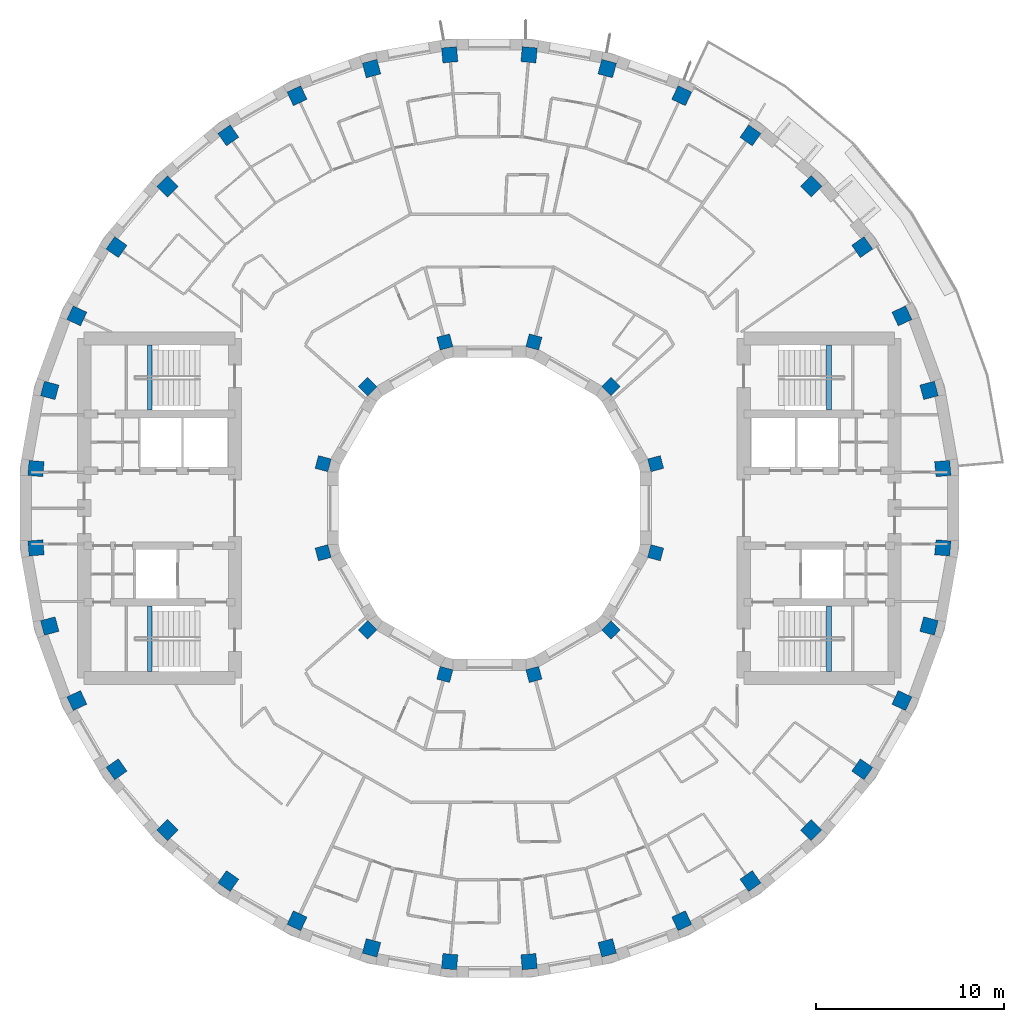
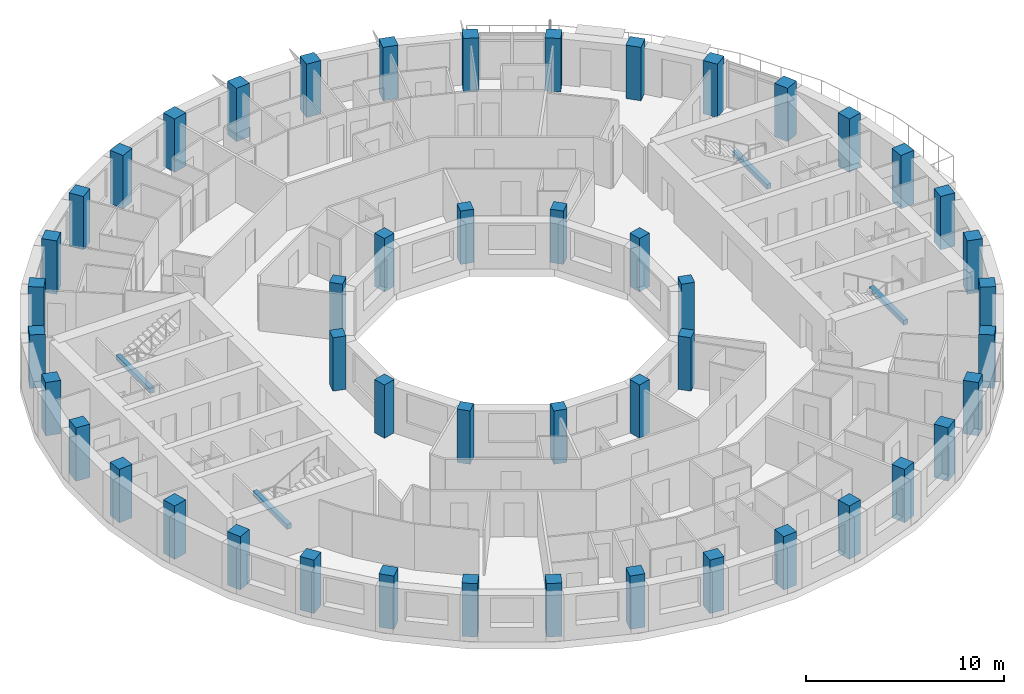
# One storey, part 1 of 15: 48 columns, 4 beams.
"""IFC4 building model written with IfcOpenShell, lengths in metres."""

from ifc_helpers import new_model, si_unit, direction, frame, origin, origin_2d, place, context, subcontext, project, spatial, rectangle, extrude, material, material_profile, profile_set, type_object, element, save


model = new_model("IFC4")

# Units and contexts
model_context = context("Model", 3, precision=1e-05, world=origin(), true_north=direction((0.0, 1.0)))
body_context = subcontext(model_context, "Body", "Model", "MODEL_VIEW")
ifc_project = project(units=[si_unit("LENGTHUNIT", "METRE"), si_unit("AREAUNIT", "SQUARE_METRE"), si_unit("VOLUMEUNIT", "CUBIC_METRE"), si_unit("PLANEANGLEUNIT", "RADIAN"), si_unit("MASSUNIT", "GRAM", prefix="KILO")], contexts=[model_context])

# Site, building, storey
site_placement = place(None, origin())
site = spatial("IfcSite", under=ifc_project, at=site_placement, CompositionType="ELEMENT")
building_placement = place(site_placement, origin())
building = spatial("IfcBuilding", under=site, at=building_placement, Name="Saqina Gate Tower", CompositionType="ELEMENT")
storey_placement = place(building_placement, frame((0.0, 0.0, 197.10009765625)))
storey = spatial("IfcBuildingStorey", under=building, at=storey_placement, Name="L56", CompositionType="ELEMENT", Elevation=197.10009765625)

# Columns
ifc_material_1 = material(Name="Concrete C60/75", Category="concrete")
ifc_material_profile_1 = material_profile(ifc_material_1, rectangle(XDim=0.699951171875, YDim=0.699951171875, at=origin_2d()), Name="RC 700x700")
ifc_profile_set_1 = profile_set([ifc_material_profile_1], Name="Concrete C60/75")
column_type_1 = type_object("IfcColumnType", Name="STR-COL-IN-C", PredefinedType="COLUMN", material=ifc_profile_set_1)
for number, where, z_axis, x_axis, name in (
    (1, (8.821044921875, 2.363525390625, 0.0), (0.0, 0.0, 1.0), (0.965925826289, 0.258819045103, 0.0), "L56-ICL01"),
    (2, (6.45751953125, 6.45751953125, 0.0), (0.0, 0.0, 1.0), (0.707106781187, 0.707106781187, 0.0), "L56-ICL02"),
    (3, (2.363525390625, 8.821044921875, 0.0), (0.0, 0.0, 1.0), (0.258819045103, 0.965925826289, 0.0), "L56-ICL03"),
    (4, (-2.363525390625, 8.821044921875, 0.0), (0.0, 0.0, 1.0), (-0.258819045103, 0.965925826289, 0.0), "L56-ICL04"),
    (5, (-6.45751953125, 6.45751953125, 0.0), (0.0, 0.0, 1.0), (-0.707106781187, 0.707106781187, 0.0), "L56-ICL05"),
    (6, (-8.821044921875, 2.363525390625, 0.0), (0.0, 0.0, 1.0), (-0.965925826289, 0.258819045103, 0.0), "L56-ICL06"),
    (7, (-8.821044921875, -2.363525390625, 0.0), (0.0, 0.0, 1.0), (-0.965925826289, -0.258819045103, 0.0), "L56-ICL07"),
    (8, (-6.45751953125, -6.45751953125, 0.0), (0.0, 0.0, 1.0), (-0.707106781187, -0.707106781187, 0.0), "L56-ICL08"),
    (9, (-2.363525390625, -8.821044921875, 0.0), (0.0, 0.0, 1.0), (-0.258819045103, -0.965925826289, 0.0), "L56-ICL09"),
    (10, (2.363525390625, -8.821044921875, 0.0), (0.0, 0.0, 1.0), (0.258819045103, -0.965925826289, 0.0), "L56-ICL10"),
    (11, (6.45751953125, -6.45751953125, 0.0), (0.0, 0.0, 1.0), (0.707106781187, -0.707106781187, 0.0), "L56-ICL11"),
    (12, (8.821044921875, -2.363525390625, 0.0), (0.0, 0.0, 1.0), (0.965925826289, -0.258819045103, 0.0), "L56-ICL12"),
):
    element("IfcColumn", number, at=place(storey_placement, frame(where, z_axis=z_axis, x_axis=x_axis)), inside=storey, type_object=column_type_1, Name=name, PredefinedType="COLUMN", context=body_context, shape_type="SweptSolid", body=[
        extrude(rectangle(XDim=0.699951171875, YDim=0.699951171875, at=origin_2d()), origin(), (0.0, 0.0, 1.0), 3.2998046875),
    ])
ifc_material_2 = material(Name="Concrete C60/75", Category="concrete")
ifc_material_profile_2 = material_profile(ifc_material_2, rectangle(XDim=0.800048828125, YDim=0.800048828125, at=origin_2d()), Name="RC 800x800")
ifc_profile_set_2 = profile_set([ifc_material_profile_2], Name="Concrete C60/75")
column_type_2 = type_object("IfcColumnType", Name="STR-COL-OUT-C", PredefinedType="COLUMN", material=ifc_profile_set_2)
for number, where, z_axis, x_axis, name in (
    (13, (24.05810546875, 2.104736328125, 0.0), (0.0, 0.0, 1.0), (0.996194698092, 0.087155742748, 0.0), "L56-COL01"),
    (14, (23.3271484375, 6.25048828125, 0.0), (0.0, 0.0, 1.0), (0.965925826289, 0.258819045103, 0.0), "L56-COL02"),
    (15, (21.887451171875, 10.206298828125, 0.0), (0.0, 0.0, 1.0), (0.906307787037, 0.422618261741, 0.0), "L56-COL03"),
    (16, (19.782470703125, 13.851806640625, 0.0), (0.0, 0.0, 1.0), (0.819152044289, 0.573576436351, 0.0), "L56-COL04"),
    (17, (17.07666015625, 17.07666015625, 0.0), (0.0, 0.0, 1.0), (0.707106781187, 0.707106781187, 0.0), "L56-COL05"),
    (18, (13.851806640625, 19.782470703125, 0.0), (0.0, 0.0, 1.0), (0.573576436351, 0.819152044289, 0.0), "L56-COL06"),
    (19, (10.206298828125, 21.887451171875, 0.0), (0.0, 0.0, 1.0), (0.422618261741, 0.906307787037, 0.0), "L56-COL07"),
    (20, (6.25048828125, 23.3271484375, 0.0), (0.0, 0.0, 1.0), (0.258819045103, 0.965925826289, 0.0), "L56-COL08"),
    (21, (2.104736328125, 24.05810546875, 0.0), (0.0, 0.0, 1.0), (0.087155742748, 0.996194698092, 0.0), "L56-COL09"),
    (22, (-2.104736328125, 24.05810546875, 0.0), (0.0, 0.0, 1.0), (-0.087155742748, 0.996194698092, 0.0), "L56-COL10"),
    (23, (-6.25048828125, 23.3271484375, 0.0), (0.0, 0.0, 1.0), (-0.258819045103, 0.965925826289, 0.0), "L56-COL11"),
    (24, (-10.206298828125, 21.887451171875, 0.0), (0.0, 0.0, 1.0), (-0.422618261741, 0.906307787037, 0.0), "L56-COL12"),
    (25, (-13.851806640625, 19.782470703125, 0.0), (0.0, 0.0, 1.0), (-0.573576436351, 0.819152044289, 0.0), "L56-COL13"),
    (26, (-17.07666015625, 17.07666015625, 0.0), (0.0, 0.0, 1.0), (-0.707106781187, 0.707106781187, 0.0), "L56-COL14"),
    (27, (-19.782470703125, 13.851806640625, 0.0), (0.0, 0.0, 1.0), (-0.819152044289, 0.573576436351, 0.0), "L56-COL15"),
    (28, (-21.887451171875, 10.206298828125, 0.0), (0.0, 0.0, 1.0), (-0.906307787037, 0.422618261741, 0.0), "L56-COL16"),
    (29, (-23.3271484375, 6.25048828125, 0.0), (0.0, 0.0, 1.0), (-0.965925826289, 0.258819045103, 0.0), "L56-COL17"),
    (30, (-24.05810546875, 2.104736328125, 0.0), (0.0, 0.0, 1.0), (-0.996194698092, 0.087155742748, 0.0), "L56-COL18"),
    (31, (-24.05810546875, -2.104736328125, 0.0), (0.0, 0.0, 1.0), (-0.996194698092, -0.087155742748, 0.0), "L56-COL19"),
    (32, (-23.3271484375, -6.25048828125, 0.0), (0.0, 0.0, 1.0), (-0.965925826289, -0.258819045103, 0.0), "L56-COL20"),
    (33, (-21.887451171875, -10.206298828125, 0.0), (0.0, 0.0, 1.0), (-0.906307787037, -0.422618261741, 0.0), "L56-COL21"),
    (34, (-19.782470703125, -13.851806640625, 0.0), (0.0, 0.0, 1.0), (-0.819152044289, -0.573576436351, 0.0), "L56-COL22"),
    (35, (-17.07666015625, -17.07666015625, 0.0), (0.0, 0.0, 1.0), (-0.707106781187, -0.707106781187, 0.0), "L56-COL23"),
    (36, (-13.851806640625, -19.782470703125, 0.0), (0.0, 0.0, 1.0), (-0.573576436351, -0.819152044289, 0.0), "L56-COL24"),
    (37, (-10.206298828125, -21.887451171875, 0.0), (0.0, 0.0, 1.0), (-0.422618261741, -0.906307787037, 0.0), "L56-COL25"),
    (38, (-6.25048828125, -23.3271484375, 0.0), (0.0, 0.0, 1.0), (-0.258819045103, -0.965925826289, 0.0), "L56-COL26"),
    (39, (-2.104736328125, -24.05810546875, 0.0), (0.0, 0.0, 1.0), (-0.087155742748, -0.996194698092, 0.0), "L56-COL27"),
    (40, (2.104736328125, -24.05810546875, 0.0), (0.0, 0.0, 1.0), (0.087155742748, -0.996194698092, 0.0), "L56-COL28"),
    (41, (6.25048828125, -23.3271484375, 0.0), (0.0, 0.0, 1.0), (0.258819045103, -0.965925826289, 0.0), "L56-COL29"),
    (42, (10.206298828125, -21.887451171875, 0.0), (0.0, 0.0, 1.0), (0.422618261741, -0.906307787037, 0.0), "L56-COL30"),
    (43, (13.851806640625, -19.782470703125, 0.0), (0.0, 0.0, 1.0), (0.573576436351, -0.819152044289, 0.0), "L56-COL31"),
    (44, (17.07666015625, -17.07666015625, 0.0), (0.0, 0.0, 1.0), (0.707106781187, -0.707106781187, 0.0), "L56-COL32"),
    (45, (19.782470703125, -13.851806640625, 0.0), (0.0, 0.0, 1.0), (0.819152044289, -0.573576436351, 0.0), "L56-COL33"),
    (46, (21.887451171875, -10.206298828125, 0.0), (0.0, 0.0, 1.0), (0.906307787037, -0.422618261741, 0.0), "L56-COL34"),
    (47, (23.3271484375, -6.25048828125, 0.0), (0.0, 0.0, 1.0), (0.965925826289, -0.258819045103, 0.0), "L56-COL35"),
    (48, (24.05810546875, -2.104736328125, 0.0), (0.0, 0.0, 1.0), (0.996194698092, -0.087155742748, 0.0), "L56-COL36"),
):
    element("IfcColumn", number, at=place(storey_placement, frame(where, z_axis=z_axis, x_axis=x_axis)), inside=storey, type_object=column_type_2, Name=name, PredefinedType="COLUMN", context=body_context, shape_type="SweptSolid", body=[
        extrude(rectangle(XDim=0.800048828125, YDim=0.800048828125, at=origin_2d()), origin(), (0.0, 0.0, 1.0), 3.2998046875),
    ])

# Beams
ifc_material_3 = material(Name="Concrete C40/50", Category="concrete")
ifc_material_profile_3 = material_profile(ifc_material_3, rectangle(XDim=0.25, YDim=0.300048828125, at=origin_2d()), Name="STAIR LANDING BEAM")
ifc_profile_set_3 = profile_set([ifc_material_profile_3], Name="Concrete C40/50")
beam_type = type_object("IfcBeamType", Name="STAIR LANDING BEAM", PredefinedType="BEAM", material=ifc_profile_set_3)
for number, where, z_axis, x_axis, name in (
    (49, (18.02001953125, 5.199951171875, 1.25), (0.0, 1.0, 0.0), (-1.0, 0.0, 0.0), "EXIT STAIR 1 LANDING BEAM"),
    (50, (18.02001953125, -8.64990234375, 1.25), (0.0, 1.0, 0.0), (-1.0, 0.0, 0.0), "EXIT STAIR 2 LANDING BEAM"),
    (51, (-18.02001953125, 5.199951171875, 1.25), (0.0, 1.0, 0.0), (-1.0, 0.0, 0.0), "EXIT STAIR 3 LANDING BEAM"),
    (52, (-18.02001953125, -8.64990234375, 1.25), (0.0, 1.0, 0.0), (-1.0, 0.0, 0.0), "EXIT STAIR 4 LANDING BEAM"),
):
    element("IfcBeam", number, at=place(storey_placement, frame(where, z_axis=z_axis, x_axis=x_axis)), inside=storey, type_object=beam_type, Name=name, PredefinedType="BEAM", context=body_context, shape_type="SweptSolid", body=[
        extrude(rectangle(XDim=0.25, YDim=0.300048828125, at=origin_2d()), origin(), (0.0, 0.0, 1.0), 3.449951171875),
    ])

save(model, "model.ifc")
